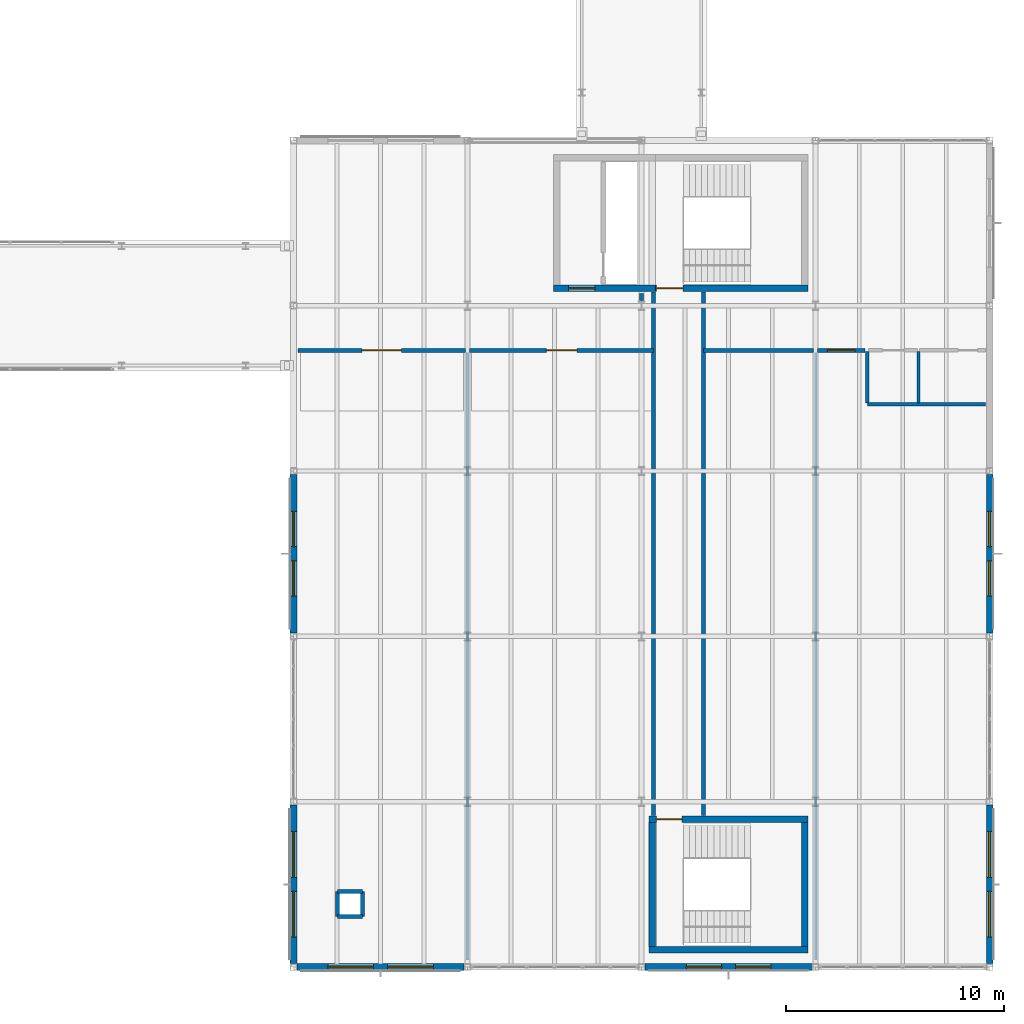
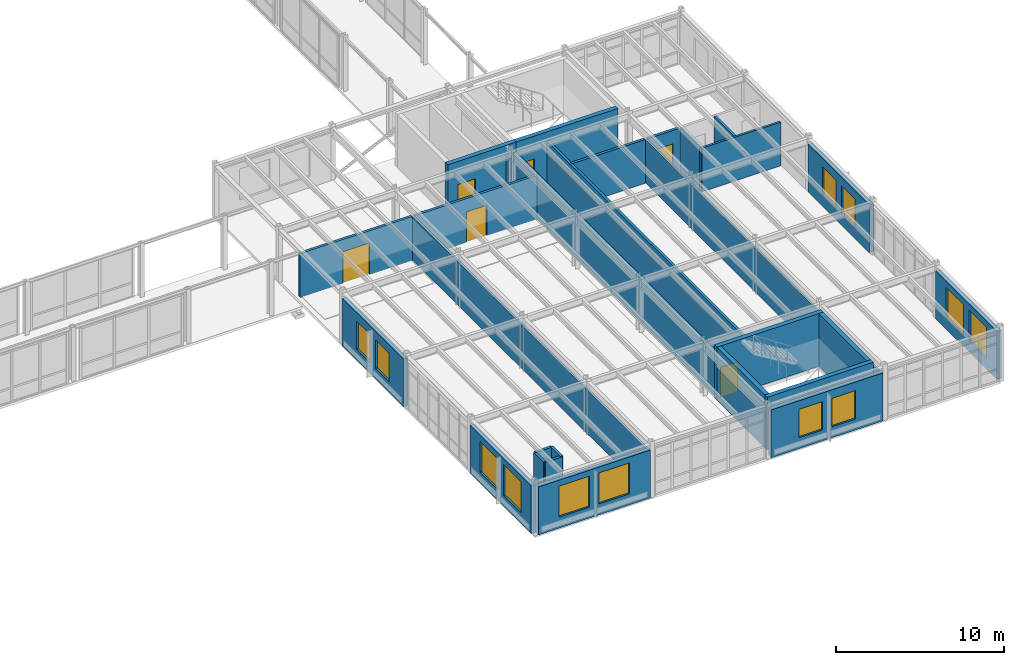
# One storey, part 141 of 165: 28 walls, 12 windows, 6 doors, 18 openings.
"""IFC4 building model written with IfcOpenShell, lengths in metres."""

import ifcopenshell
import ifcopenshell.guid

model = None  # the IFC model being written
_history = None  # IfcOwnerHistory: only IFC2X3 demands one
_inside = {}  # id of a spatial element -> (the spatial element, [elements in it])
_under = {}  # id of a project, library or spatial element -> (it, [spatial elements below it])
_declared = {}  # id of a project -> (the project, [libraries it declares])
_typed = {}  # id of a type object -> (the type object, [elements of that type])
_made_of = {}  # id of a material, layer set ... -> (it, [elements and type objects made of it])


def new_model(schema):
    """Start an empty IFC model of exactly this schema.

    Asked for "IFC4X3", IfcOpenShell would pick the latest addendum, in which some entities
    have other attributes; the version numbers below select the first issue.
    IFC2X3 requires an IfcOwnerHistory on every rooted entity: one is made here for all.
    """
    global model, _history
    if schema == "IFC4X3":
        model = ifcopenshell.file(schema_version=(4, 3, 0, 0))
    else:
        model = ifcopenshell.file(schema=schema)
    _inside.clear()
    _under.clear()
    _declared.clear()
    _typed.clear()
    _made_of.clear()
    _history = None
    if model.schema == "IFC2X3":
        org = make("IfcOrganization", Name="unknown")
        user = make(
            "IfcPersonAndOrganization",
            ThePerson=make("IfcPerson", FamilyName="unknown"),
            TheOrganization=org,
        )
        app = make(
            "IfcApplication",
            ApplicationDeveloper=org,
            Version="unknown",
            ApplicationFullName="unknown",
            ApplicationIdentifier="unknown",
        )
        _history = make(
            "IfcOwnerHistory",
            OwningUser=user,
            OwningApplication=app,
            ChangeAction="ADDED",
            CreationDate=0,
        )
    return model


def make(cls, **values):
    """One entity of the class cls with the attributes given. An attribute that is None is left unset."""
    return model.create_entity(
        cls, **{name: value for name, value in values.items() if value is not None}
    )


def rooted(cls, **values):
    """An entity with a GlobalId (a new one), such as an element, a storey or a relation."""
    return make(cls, GlobalId=ifcopenshell.guid.new(), OwnerHistory=_history, **values)


def si_unit(unit_type, name, prefix=None):
    """IfcSIUnit, for example si_unit("LENGTHUNIT", "METRE", prefix="MILLI")."""
    return make("IfcSIUnit", UnitType=unit_type, Prefix=prefix, Name=name)


def assignment(units):
    """IfcUnitAssignment: the units of a project."""
    return None if units is None else make("IfcUnitAssignment", Units=units)


def point(xyz):
    """IfcCartesianPoint."""
    return None if xyz is None else make("IfcCartesianPoint", Coordinates=xyz)


def direction(xyz):
    """IfcDirection."""
    return None if xyz is None else make("IfcDirection", DirectionRatios=xyz)


def frame(location, z_axis=None, x_axis=None):
    """IfcAxis2Placement3D, a coordinate frame: its origin and axes. An axis left out is left unset."""
    return make(
        "IfcAxis2Placement3D",
        Location=point(location),
        Axis=direction(z_axis),
        RefDirection=direction(x_axis),
    )


def frame_2d(location, x_axis=None):
    """IfcAxis2Placement2D, a coordinate frame in the plane: its origin and x axis."""
    return make(
        "IfcAxis2Placement2D", Location=point(location), RefDirection=direction(x_axis)
    )


def origin():
    """The frame at (0, 0, 0) with its axes left unset."""
    return frame((0.0, 0.0, 0.0))


def place(relative_to, where):
    """IfcLocalPlacement: puts the frame where relative to a parent placement (None: the world)."""
    return make(
        "IfcLocalPlacement", PlacementRelTo=relative_to, RelativePlacement=where
    )


def context(
    kind, dimensions, precision=None, world=None, true_north=None, identifier=None
):
    """IfcGeometricRepresentationContext, for example the 3D "Model" context."""
    return make(
        "IfcGeometricRepresentationContext",
        ContextIdentifier=identifier,
        ContextType=kind,
        CoordinateSpaceDimension=dimensions,
        Precision=precision,
        WorldCoordinateSystem=world,
        TrueNorth=true_north,
    )


def subcontext(parent, identifier, kind, view, scale=None):
    """IfcGeometricRepresentationSubContext, for example "Body" below "Model"."""
    return make(
        "IfcGeometricRepresentationSubContext",
        ContextIdentifier=identifier,
        ContextType=kind,
        ParentContext=parent,
        TargetScale=scale,
        TargetView=view,
    )


def project(units=None, contexts=None):
    """IfcProject with its units and contexts."""
    return rooted(
        "IfcProject",
        Name="project",
        RepresentationContexts=contexts,
        UnitsInContext=assignment(units),
    )


def spatial(cls, under=None, at=None, **own):
    """A site, building, storey or space (cls), placed at a placement, below another one or the project."""
    s = rooted(cls, ObjectPlacement=at, **own)
    if under is not None:
        _under.setdefault(under.id(), (under, []))[1].append(s)
    return s


def profile(cls, at=None, kind="AREA", **sizes):
    """A parametric profile (cls). Its sizes go by their IFC names, for example OverallWidth=200.0."""
    return make(cls, ProfileType=kind, Position=at, **sizes)


def rectangle(**sizes):
    """IfcRectangleProfileDef."""
    return profile("IfcRectangleProfileDef", **sizes)


def extrude(swept, where, along, depth):
    """IfcExtrudedAreaSolid: the profile swept, set in the frame where, extruded along a direction by depth."""
    return make(
        "IfcExtrudedAreaSolid",
        SweptArea=swept,
        Position=where,
        ExtrudedDirection=direction(along),
        Depth=depth,
    )


def shape(context_of_items, identifier, shape_type, items):
    """IfcShapeRepresentation: the items that make up one representation, for example the "Body"."""
    return make(
        "IfcShapeRepresentation",
        ContextOfItems=context_of_items,
        RepresentationIdentifier=identifier,
        RepresentationType=shape_type,
        Items=items,
    )


def material(Name=None, Category=None):
    """IfcMaterial."""
    return make("IfcMaterial", Name=Name, Category=Category)


def layer(
    of_material, thickness, ventilated=None, Name=None, Category=None, Priority=None
):
    """IfcMaterialLayer: one layer of a wall or slab, of a material (None: an air gap)."""
    return make(
        "IfcMaterialLayer",
        Material=of_material,
        LayerThickness=thickness,
        IsVentilated=ventilated,
        Name=Name,
        Category=Category,
        Priority=Priority,
    )


def layer_set(layers, Name=None):
    """IfcMaterialLayerSet."""
    return make("IfcMaterialLayerSet", MaterialLayers=layers, LayerSetName=Name)


def made_of(thing, what):
    """Note that an element or type object is made of a material, layer set ...; save() writes the relation."""
    if what is not None:
        _made_of.setdefault(what.id(), (what, []))[1].append(thing)
    return thing


def type_object(cls, material=None, **own):
    """A type object (cls), such as IfcWallType, which elements share."""
    return made_of(rooted(cls, **own), material)


def element(
    cls,
    number,
    at=None,
    inside=None,
    cuts=None,
    type_object=None,
    material=None,
    context=None,
    identifier="Body",
    shape_type=None,
    held_by="IfcProductDefinitionShape",
    body=None,
    shapes=None,
    **own,
):
    """One element of the class cls, such as IfcWall. Its Tag is "e" and its number.

    at: its placement. inside: the storey or other place that contains it. cuts: it is an
    opening in that element (IfcRelVoidsElement). A single representation is given by context,
    identifier, shape_type and body (its items); several are given by shapes. held_by: the class
    of the entity that holds the representations. save() writes the other relations.
    """
    e = rooted(cls, Tag="e%d" % number, ObjectPlacement=at, **own)
    if body is not None:
        shapes = [shape(context, identifier, shape_type, body)]
    if shapes is not None:
        e.Representation = make(held_by, Representations=shapes)
    if inside is not None:
        _inside.setdefault(inside.id(), (inside, []))[1].append(e)
    if cuts is not None:
        rooted(
            "IfcRelVoidsElement", RelatingBuildingElement=cuts, RelatedOpeningElement=e
        )
    if type_object is not None:
        _typed.setdefault(type_object.id(), (type_object, []))[1].append(e)
    return made_of(e, material)


def fill(opening, filler):
    """IfcRelFillsElement: the door or window that sits in an opening."""
    return rooted(
        "IfcRelFillsElement",
        RelatingOpeningElement=opening,
        RelatedBuildingElement=filler,
    )


def aggregate(whole, parts):
    """IfcRelAggregates: a whole, such as a stair, and the parts it consists of."""
    return rooted("IfcRelAggregates", RelatingObject=whole, RelatedObjects=parts)


def save(model, path):
    """Write the relations noted so far, then the file.

    IfcRelAggregates (storeys below a building ...), IfcRelContainedInSpatialStructure (elements
    in a storey), IfcRelDefinesByType, IfcRelAssociatesMaterial and IfcRelDeclares: one each for
    every whole, place, type object, material and project.
    """
    for whole, parts in _under.values():
        aggregate(whole, parts)
    for where, things in _inside.values():
        rooted(
            "IfcRelContainedInSpatialStructure",
            RelatedElements=things,
            RelatingStructure=where,
        )
    for kind, things in _typed.values():
        rooted("IfcRelDefinesByType", RelatedObjects=things, RelatingType=kind)
    for what, things in _made_of.values():
        rooted("IfcRelAssociatesMaterial", RelatedObjects=things, RelatingMaterial=what)
    for by, libraries in _declared.values():
        rooted("IfcRelDeclares", RelatingContext=by, RelatedDefinitions=libraries)
    model.write(path)


model = new_model("IFC4")

# Units and contexts
model_context = context("Model", 3, precision=1e-05, world=origin(), true_north=direction((0.0, 1.0)))
body_context = subcontext(model_context, "Body", "Model", "MODEL_VIEW")
ifc_project = project(units=[si_unit("LENGTHUNIT", "METRE"), si_unit("AREAUNIT", "SQUARE_METRE"), si_unit("VOLUMEUNIT", "CUBIC_METRE"), si_unit("PLANEANGLEUNIT", "RADIAN"), si_unit("MASSUNIT", "GRAM", prefix="KILO")], contexts=[model_context])

# Site, building, storey
site_placement = place(None, origin())
site = spatial("IfcSite", under=ifc_project, at=site_placement, CompositionType="ELEMENT")
building_placement = place(site_placement, origin())
building = spatial("IfcBuilding", under=site, at=building_placement, Name="Montecoro Central Library", CompositionType="ELEMENT")
storey_placement = place(building_placement, frame((0.0, 0.0, 5.10009765625)))
storey = spatial("IfcBuildingStorey", under=building, at=storey_placement, Name="L01", CompositionType="ELEMENT", Elevation=5.10009765625)

# Wall, openings, windows
ifc_material_1 = material(Name="Roman travertine stone clad concrete C35/45", Category="masonry")
ifc_layer_1 = layer(ifc_material_1, 0.31005859375)
ifc_layer_set_1 = layer_set([ifc_layer_1], Name="Roman travertine stone clad concrete C35/45")
wall_type_1 = type_object("IfcWallType", Name="EW-TRV-310", PredefinedType="SOLIDWALL", material=ifc_layer_set_1)
wall_1_placement = place(storey_placement, frame((141.153076171875, 5.0, 0.0), z_axis=(0.0, 0.0, 1.0), x_axis=(1.0, 0.0, 0.0)))
wall_1 = element("IfcWall", 1, at=wall_1_placement, inside=storey, type_object=wall_type_1, Name="V6-L01-EW-S0", PredefinedType="SOLIDWALL", context=body_context, shape_type="SweptSolid", body=[
    extrude(rectangle(XDim=7.69384765625, YDim=0.31005859375, at=frame_2d((3.846923828125, 0.0))), origin(), (0.0, 0.0, 1.0), 3.47998046875),
])
opening_1_placement = place(wall_1_placement, frame((1.422119140625, 0.0, 0.800048828125)))
opening_1 = element("IfcOpeningElement", 2, at=opening_1_placement, cuts=wall_1, Name="Opening WN-19", PredefinedType="OPENING", context=body_context, shape_type="SweptSolid", body=[
    extrude(rectangle(XDim=2.10009765625, YDim=2.25, at=frame_2d((1.050048828125, 1.125))), frame((0.0, 0.1650390625, 0.0), z_axis=(0.0, -1.0, 0.0), x_axis=(1.0, 0.0, 0.0)), (0.0, 0.0, 1.0), 0.330078125),
])
opening_2_placement = place(wall_1_placement, frame((4.172119140625, 0.0, 0.800048828125)))
opening_2 = element("IfcOpeningElement", 3, at=opening_2_placement, cuts=wall_1, Name="Opening WN-19", PredefinedType="OPENING", context=body_context, shape_type="SweptSolid", body=[
    extrude(rectangle(XDim=2.10009765625, YDim=2.25, at=frame_2d((1.050048828125, 1.125))), frame((0.0, 0.1650390625, 0.0), z_axis=(0.0, -1.0, 0.0), x_axis=(1.0, 0.0, 0.0)), (0.0, 0.0, 1.0), 0.330078125),
])
ifc_material_2 = material(Name="Laminated low-E double glazing", Category="glass")
window_type_1 = type_object("IfcWindowType", Name="WN-COM-210", PartitioningType="SINGLE_PANEL", PredefinedType="WINDOW", material=ifc_material_2)
window_1_placement = place(opening_1_placement, origin())
window_1 = element("IfcWindow", 4, at=window_1_placement, inside=storey, type_object=window_type_1, Name="V6-L01-WN-S0-1", OverallHeight=2.25, OverallWidth=2.10009765625, PartitioningType="SINGLE_PANEL", PredefinedType="WINDOW", context=body_context, shape_type="SweptSolid", body=[
    extrude(rectangle(XDim=2.10009765625, YDim=2.25, at=frame_2d((1.050048828125, 1.125))), frame((0.0, 0.030029296875, 0.0), z_axis=(0.0, -1.0, 0.0), x_axis=(1.0, 0.0, 0.0)), (0.0, 0.0, 1.0), 0.06005859375),
])
fill(opening_1, window_1)
window_2_placement = place(opening_2_placement, origin())
window_2 = element("IfcWindow", 5, at=window_2_placement, inside=storey, type_object=window_type_1, Name="V6-L01-WN-S0-2", OverallHeight=2.25, OverallWidth=2.10009765625, PartitioningType="SINGLE_PANEL", PredefinedType="WINDOW", context=body_context, shape_type="SweptSolid", body=[
    extrude(rectangle(XDim=2.10009765625, YDim=2.25, at=frame_2d((1.050048828125, 1.125))), frame((0.0, 0.030029296875, 0.0), z_axis=(0.0, -1.0, 0.0), x_axis=(1.0, 0.0, 0.0)), (0.0, 0.0, 1.0), 0.06005859375),
])
fill(opening_2, window_2)

wall_2_placement = place(storey_placement, frame((157.153076171875, 5.0, 0.0), z_axis=(0.0, 0.0, 1.0), x_axis=(1.0, 0.0, 0.0)))
wall_2 = element("IfcWall", 6, at=wall_2_placement, inside=storey, type_object=wall_type_1, Name="V6-L01-EW-S2", PredefinedType="SOLIDWALL", context=body_context, shape_type="SweptSolid", body=[
    extrude(rectangle(XDim=7.69384765625, YDim=0.31005859375, at=frame_2d((3.846923828125, 0.0))), origin(), (0.0, 0.0, 1.0), 3.47998046875),
])
opening_3_placement = place(wall_2_placement, frame((1.902099609375, 0.0, 0.800048828125)))
opening_3 = element("IfcOpeningElement", 7, at=opening_3_placement, cuts=wall_2, Name="Opening WN-27", PredefinedType="OPENING", context=body_context, shape_type="SweptSolid", body=[
    extrude(rectangle(XDim=1.6201171875, YDim=2.06005859375, at=frame_2d((0.81005859375, 1.030029296875))), frame((0.0, 0.1650390625, 0.0), z_axis=(0.0, -1.0, 0.0), x_axis=(1.0, 0.0, 0.0)), (0.0, 0.0, 1.0), 0.330078125),
])
opening_4_placement = place(wall_2_placement, frame((4.172119140625, 0.0, 0.800048828125)))
opening_4 = element("IfcOpeningElement", 8, at=opening_4_placement, cuts=wall_2, Name="Opening WN-27", PredefinedType="OPENING", context=body_context, shape_type="SweptSolid", body=[
    extrude(rectangle(XDim=1.6201171875, YDim=2.06005859375, at=frame_2d((0.81005859375, 1.030029296875))), frame((0.0, 0.1650390625, 0.0), z_axis=(0.0, -1.0, 0.0), x_axis=(1.0, 0.0, 0.0)), (0.0, 0.0, 1.0), 0.330078125),
])
window_type_2 = type_object("IfcWindowType", Name="WN-COM-162", PartitioningType="SINGLE_PANEL", PredefinedType="WINDOW", material=ifc_material_2)
window_3_placement = place(opening_3_placement, origin())
window_3 = element("IfcWindow", 9, at=window_3_placement, inside=storey, type_object=window_type_2, Name="V6-L01-WN-S2-1", OverallHeight=2.06005859375, OverallWidth=1.6201171875, PartitioningType="SINGLE_PANEL", PredefinedType="WINDOW", context=body_context, shape_type="SweptSolid", body=[
    extrude(rectangle(XDim=1.6201171875, YDim=2.06005859375, at=frame_2d((0.81005859375, 1.030029296875))), frame((0.0, 0.030029296875, 0.0), z_axis=(0.0, -1.0, 0.0), x_axis=(1.0, 0.0, 0.0)), (0.0, 0.0, 1.0), 0.06005859375),
])
fill(opening_3, window_3)
window_4_placement = place(opening_4_placement, origin())
window_4 = element("IfcWindow", 10, at=window_4_placement, inside=storey, type_object=window_type_2, Name="V6-L01-WN-S2-2", OverallHeight=2.06005859375, OverallWidth=1.6201171875, PartitioningType="SINGLE_PANEL", PredefinedType="WINDOW", context=body_context, shape_type="SweptSolid", body=[
    extrude(rectangle(XDim=1.6201171875, YDim=2.06005859375, at=frame_2d((0.81005859375, 1.030029296875))), frame((0.0, 0.030029296875, 0.0), z_axis=(0.0, -1.0, 0.0), x_axis=(1.0, 0.0, 0.0)), (0.0, 0.0, 1.0), 0.06005859375),
])
fill(opening_4, window_4)

wall_3_placement = place(storey_placement, frame((173.0, 5.153076171875, 0.0), z_axis=(0.0, 0.0, 1.0), x_axis=(0.0, 1.0, 0.0)))
wall_3 = element("IfcWall", 11, at=wall_3_placement, inside=storey, type_object=wall_type_1, Name="V6-L01-EW-E0", PredefinedType="SOLIDWALL", context=body_context, shape_type="SweptSolid", body=[
    extrude(rectangle(XDim=7.2939453125, YDim=0.31005859375, at=frame_2d((3.64697265625, 0.0))), origin(), (0.0, 0.0, 1.0), 3.47998046875),
])
opening_5_placement = place(wall_3_placement, frame((1.221923828125, 0.0, 0.800048828125)))
opening_5 = element("IfcOpeningElement", 12, at=opening_5_placement, cuts=wall_3, Name="Opening WN-19", PredefinedType="OPENING", context=body_context, shape_type="SweptSolid", body=[
    extrude(rectangle(XDim=2.10009765625, YDim=2.25, at=frame_2d((1.050048828125, 1.125))), frame((0.0, 0.1650390625, 0.0), z_axis=(0.0, -1.0, 0.0), x_axis=(1.0, 0.0, 0.0)), (0.0, 0.0, 1.0), 0.330078125),
])
opening_6_placement = place(wall_3_placement, frame((3.971923828125, 0.0, 0.800048828125)))
opening_6 = element("IfcOpeningElement", 13, at=opening_6_placement, cuts=wall_3, Name="Opening WN-19", PredefinedType="OPENING", context=body_context, shape_type="SweptSolid", body=[
    extrude(rectangle(XDim=2.10009765625, YDim=2.25, at=frame_2d((1.050048828125, 1.125))), frame((0.0, 0.1650390625, 0.0), z_axis=(0.0, -1.0, 0.0), x_axis=(1.0, 0.0, 0.0)), (0.0, 0.0, 1.0), 0.330078125),
])
window_5_placement = place(opening_5_placement, origin())
window_5 = element("IfcWindow", 14, at=window_5_placement, inside=storey, type_object=window_type_1, Name="V6-L01-WN-E0-1", OverallHeight=2.25, OverallWidth=2.10009765625, PartitioningType="SINGLE_PANEL", PredefinedType="WINDOW", context=body_context, shape_type="SweptSolid", body=[
    extrude(rectangle(XDim=2.10009765625, YDim=2.25, at=frame_2d((1.050048828125, 1.125))), frame((0.0, 0.030029296875, 0.0), z_axis=(0.0, -1.0, 0.0), x_axis=(1.0, 0.0, 0.0)), (0.0, 0.0, 1.0), 0.06005859375),
])
fill(opening_5, window_5)
window_6_placement = place(opening_6_placement, origin())
window_6 = element("IfcWindow", 15, at=window_6_placement, inside=storey, type_object=window_type_1, Name="V6-L01-WN-E0-2", OverallHeight=2.25, OverallWidth=2.10009765625, PartitioningType="SINGLE_PANEL", PredefinedType="WINDOW", context=body_context, shape_type="SweptSolid", body=[
    extrude(rectangle(XDim=2.10009765625, YDim=2.25, at=frame_2d((1.050048828125, 1.125))), frame((0.0, 0.030029296875, 0.0), z_axis=(0.0, -1.0, 0.0), x_axis=(1.0, 0.0, 0.0)), (0.0, 0.0, 1.0), 0.06005859375),
])
fill(opening_6, window_6)

wall_4_placement = place(storey_placement, frame((173.0, 20.35302734375, 0.0), z_axis=(0.0, 0.0, 1.0), x_axis=(0.0, 1.0, 0.0)))
wall_4 = element("IfcWall", 16, at=wall_4_placement, inside=storey, type_object=wall_type_1, Name="V6-L01-EW-E2", PredefinedType="SOLIDWALL", context=body_context, shape_type="SweptSolid", body=[
    extrude(rectangle(XDim=7.2939453125, YDim=0.31005859375, at=frame_2d((3.64697265625, 0.0))), origin(), (0.0, 0.0, 1.0), 3.47998046875),
])
opening_7_placement = place(wall_4_placement, frame((1.701904296875, 0.0, 0.800048828125)))
opening_7 = element("IfcOpeningElement", 17, at=opening_7_placement, cuts=wall_4, Name="Opening WN-27", PredefinedType="OPENING", context=body_context, shape_type="SweptSolid", body=[
    extrude(rectangle(XDim=1.6201171875, YDim=2.06005859375, at=frame_2d((0.81005859375, 1.030029296875))), frame((0.0, 0.1650390625, 0.0), z_axis=(0.0, -1.0, 0.0), x_axis=(1.0, 0.0, 0.0)), (0.0, 0.0, 1.0), 0.330078125),
])
opening_8_placement = place(wall_4_placement, frame((3.971923828125, 0.0, 0.800048828125)))
opening_8 = element("IfcOpeningElement", 18, at=opening_8_placement, cuts=wall_4, Name="Opening WN-27", PredefinedType="OPENING", context=body_context, shape_type="SweptSolid", body=[
    extrude(rectangle(XDim=1.6201171875, YDim=2.06005859375, at=frame_2d((0.81005859375, 1.030029296875))), frame((0.0, 0.1650390625, 0.0), z_axis=(0.0, -1.0, 0.0), x_axis=(1.0, 0.0, 0.0)), (0.0, 0.0, 1.0), 0.330078125),
])
window_7_placement = place(opening_7_placement, origin())
window_7 = element("IfcWindow", 19, at=window_7_placement, inside=storey, type_object=window_type_2, Name="V6-L01-WN-E2-1", OverallHeight=2.06005859375, OverallWidth=1.6201171875, PartitioningType="SINGLE_PANEL", PredefinedType="WINDOW", context=body_context, shape_type="SweptSolid", body=[
    extrude(rectangle(XDim=1.6201171875, YDim=2.06005859375, at=frame_2d((0.81005859375, 1.030029296875))), frame((0.0, 0.030029296875, 0.0), z_axis=(0.0, -1.0, 0.0), x_axis=(1.0, 0.0, 0.0)), (0.0, 0.0, 1.0), 0.06005859375),
])
fill(opening_7, window_7)
window_8_placement = place(opening_8_placement, origin())
window_8 = element("IfcWindow", 20, at=window_8_placement, inside=storey, type_object=window_type_2, Name="V6-L01-WN-E2-2", OverallHeight=2.06005859375, OverallWidth=1.6201171875, PartitioningType="SINGLE_PANEL", PredefinedType="WINDOW", context=body_context, shape_type="SweptSolid", body=[
    extrude(rectangle(XDim=1.6201171875, YDim=2.06005859375, at=frame_2d((0.81005859375, 1.030029296875))), frame((0.0, 0.030029296875, 0.0), z_axis=(0.0, -1.0, 0.0), x_axis=(1.0, 0.0, 0.0)), (0.0, 0.0, 1.0), 0.06005859375),
])
fill(opening_8, window_8)

wall_5_placement = place(storey_placement, frame((141.0, 27.64697265625, 0.0), z_axis=(0.0, 0.0, 1.0), x_axis=(0.0, -1.0, 0.0)))
wall_5 = element("IfcWall", 21, at=wall_5_placement, inside=storey, type_object=wall_type_1, Name="V6-L01-EW-W2", PredefinedType="SOLIDWALL", context=body_context, shape_type="SweptSolid", body=[
    extrude(rectangle(XDim=7.2939453125, YDim=0.31005859375, at=frame_2d((3.64697265625, 0.0))), origin(), (0.0, 0.0, 1.0), 3.47998046875),
])
opening_9_placement = place(wall_5_placement, frame((1.701904296875, 0.0, 0.800048828125)))
opening_9 = element("IfcOpeningElement", 22, at=opening_9_placement, cuts=wall_5, Name="Opening WN-27", PredefinedType="OPENING", context=body_context, shape_type="SweptSolid", body=[
    extrude(rectangle(XDim=1.6201171875, YDim=2.06005859375, at=frame_2d((0.81005859375, 1.030029296875))), frame((0.0, 0.1650390625, 0.0), z_axis=(0.0, -1.0, 0.0), x_axis=(1.0, 0.0, 0.0)), (0.0, 0.0, 1.0), 0.330078125),
])
opening_10_placement = place(wall_5_placement, frame((3.971923828125, 0.0, 0.800048828125)))
opening_10 = element("IfcOpeningElement", 23, at=opening_10_placement, cuts=wall_5, Name="Opening WN-27", PredefinedType="OPENING", context=body_context, shape_type="SweptSolid", body=[
    extrude(rectangle(XDim=1.6201171875, YDim=2.06005859375, at=frame_2d((0.81005859375, 1.030029296875))), frame((0.0, 0.1650390625, 0.0), z_axis=(0.0, -1.0, 0.0), x_axis=(1.0, 0.0, 0.0)), (0.0, 0.0, 1.0), 0.330078125),
])
window_9_placement = place(opening_9_placement, origin())
window_9 = element("IfcWindow", 24, at=window_9_placement, inside=storey, type_object=window_type_2, Name="V6-L01-WN-W2-1", OverallHeight=2.06005859375, OverallWidth=1.6201171875, PartitioningType="SINGLE_PANEL", PredefinedType="WINDOW", context=body_context, shape_type="SweptSolid", body=[
    extrude(rectangle(XDim=1.6201171875, YDim=2.06005859375, at=frame_2d((0.81005859375, 1.030029296875))), frame((0.0, 0.030029296875, 0.0), z_axis=(0.0, -1.0, 0.0), x_axis=(1.0, 0.0, 0.0)), (0.0, 0.0, 1.0), 0.06005859375),
])
fill(opening_9, window_9)
window_10_placement = place(opening_10_placement, origin())
window_10 = element("IfcWindow", 25, at=window_10_placement, inside=storey, type_object=window_type_2, Name="V6-L01-WN-W2-2", OverallHeight=2.06005859375, OverallWidth=1.6201171875, PartitioningType="SINGLE_PANEL", PredefinedType="WINDOW", context=body_context, shape_type="SweptSolid", body=[
    extrude(rectangle(XDim=1.6201171875, YDim=2.06005859375, at=frame_2d((0.81005859375, 1.030029296875))), frame((0.0, 0.030029296875, 0.0), z_axis=(0.0, -1.0, 0.0), x_axis=(1.0, 0.0, 0.0)), (0.0, 0.0, 1.0), 0.06005859375),
])
fill(opening_10, window_10)

wall_6_placement = place(storey_placement, frame((141.0, 12.447021484375, 0.0), z_axis=(0.0, 0.0, 1.0), x_axis=(0.0, -1.0, 0.0)))
wall_6 = element("IfcWall", 26, at=wall_6_placement, inside=storey, type_object=wall_type_1, Name="V6-L01-EW-W0", PredefinedType="SOLIDWALL", context=body_context, shape_type="SweptSolid", body=[
    extrude(rectangle(XDim=7.2939453125, YDim=0.31005859375, at=frame_2d((3.64697265625, 0.0))), origin(), (0.0, 0.0, 1.0), 3.47998046875),
])
opening_11_placement = place(wall_6_placement, frame((1.221923828125, 0.0, 0.800048828125)))
opening_11 = element("IfcOpeningElement", 27, at=opening_11_placement, cuts=wall_6, Name="Opening WN-19", PredefinedType="OPENING", context=body_context, shape_type="SweptSolid", body=[
    extrude(rectangle(XDim=2.10009765625, YDim=2.25, at=frame_2d((1.050048828125, 1.125))), frame((0.0, 0.1650390625, 0.0), z_axis=(0.0, -1.0, 0.0), x_axis=(1.0, 0.0, 0.0)), (0.0, 0.0, 1.0), 0.330078125),
])
opening_12_placement = place(wall_6_placement, frame((3.971923828125, 0.0, 0.800048828125)))
opening_12 = element("IfcOpeningElement", 28, at=opening_12_placement, cuts=wall_6, Name="Opening WN-19", PredefinedType="OPENING", context=body_context, shape_type="SweptSolid", body=[
    extrude(rectangle(XDim=2.10009765625, YDim=2.25, at=frame_2d((1.050048828125, 1.125))), frame((0.0, 0.1650390625, 0.0), z_axis=(0.0, -1.0, 0.0), x_axis=(1.0, 0.0, 0.0)), (0.0, 0.0, 1.0), 0.330078125),
])
window_11_placement = place(opening_11_placement, origin())
window_11 = element("IfcWindow", 29, at=window_11_placement, inside=storey, type_object=window_type_1, Name="V6-L01-WN-W0-1", OverallHeight=2.25, OverallWidth=2.10009765625, PartitioningType="SINGLE_PANEL", PredefinedType="WINDOW", context=body_context, shape_type="SweptSolid", body=[
    extrude(rectangle(XDim=2.10009765625, YDim=2.25, at=frame_2d((1.050048828125, 1.125))), frame((0.0, 0.030029296875, 0.0), z_axis=(0.0, -1.0, 0.0), x_axis=(1.0, 0.0, 0.0)), (0.0, 0.0, 1.0), 0.06005859375),
])
fill(opening_11, window_11)
window_12_placement = place(opening_12_placement, origin())
window_12 = element("IfcWindow", 30, at=window_12_placement, inside=storey, type_object=window_type_1, Name="V6-L01-WN-W0-2", OverallHeight=2.25, OverallWidth=2.10009765625, PartitioningType="SINGLE_PANEL", PredefinedType="WINDOW", context=body_context, shape_type="SweptSolid", body=[
    extrude(rectangle(XDim=2.10009765625, YDim=2.25, at=frame_2d((1.050048828125, 1.125))), frame((0.0, 0.030029296875, 0.0), z_axis=(0.0, -1.0, 0.0), x_axis=(1.0, 0.0, 0.0)), (0.0, 0.0, 1.0), 0.06005859375),
])
fill(opening_12, window_12)

# Walls
ifc_material_3 = material(Name="Gypsum fire-rated partition")
ifc_layer_2 = layer(ifc_material_3, 0.179931640625)
ifc_layer_set_2 = layer_set([ifc_layer_2], Name="Gypsum fire-rated partition")
wall_type_2 = type_object("IfcWallType", Name="IW-COR-180", PredefinedType="PARTITIONING", material=ifc_layer_set_2)
for number, where, z_axis, x_axis, name in (
    (31, (143.02001953125, 7.320068359375, 0.0), (0.0, 0.0, 1.0), (1.0, 0.0, 0.0), "RSR-V6-L01-SL1-S"),
    (32, (144.179931640625, 8.47998046875, 0.0), (0.0, 0.0, 1.0), (-1.0, 0.0, 0.0), "RSR-V6-L01-SL1-N"),
    (33, (143.02001953125, 8.47998046875, 0.0), (0.0, 0.0, 1.0), (0.0, -1.0, 0.0), "RSR-V6-L01-SL1-W"),
    (34, (144.179931640625, 7.320068359375, 0.0), (0.0, 0.0, 1.0), (0.0, 1.0, 0.0), "RSR-V6-L01-SL1-E"),
):
    element("IfcWall", number, at=place(storey_placement, frame(where, z_axis=z_axis, x_axis=x_axis)), inside=storey, type_object=wall_type_2, Name=name, PredefinedType="PARTITIONING", context=body_context, shape_type="SweptSolid", body=[
        extrude(rectangle(XDim=1.159912109375, YDim=0.179931640625, at=frame_2d((0.580078125, 0.0))), origin(), (0.0, 0.0, 1.0), 3.179931640625),
    ])

# Wall, opening, door
wall_7_placement = place(storey_placement, frame((141.199951171875, 33.35009765625, 0.0), z_axis=(0.0, 0.0, 1.0), x_axis=(1.0, 0.0, 0.0)))
wall_7 = element("IfcWall", 35, at=wall_7_placement, inside=storey, type_object=wall_type_2, Name="CORW-V6-L01-01", PredefinedType="PARTITIONING", context=body_context, shape_type="SweptSolid", body=[
    extrude(rectangle(XDim=7.7099609375, YDim=0.179931640625, at=frame_2d((3.85498046875, 0.0))), origin(), (0.0, 0.0, 1.0), 3.179931640625),
])
opening_13_placement = place(wall_7_placement, frame((2.955078125, 0.0, 0.0)))
opening_13 = element("IfcOpeningElement", 36, at=opening_13_placement, cuts=wall_7, Name="Opening ID-10", PredefinedType="OPENING", context=body_context, shape_type="SweptSolid", body=[
    extrude(rectangle(XDim=1.800048828125, YDim=2.300048828125, at=frame_2d((0.89990234375, 1.14990234375))), frame((0.0, 0.099853515625, 0.0), z_axis=(0.0, -1.0, 0.0), x_axis=(1.0, 0.0, 0.0)), (0.0, 0.0, 1.0), 0.199951171875),
])
ifc_material_4 = material(Name="Solid oak and fire-rated steel door", Category="steel")
door_type_1 = type_object("IfcDoorType", Name="ID-AUD-180", OperationType="NOTDEFINED", PredefinedType="DOOR", material=ifc_material_4)
door_1_placement = place(opening_13_placement, origin())
door_1 = element("IfcDoor", 37, at=door_1_placement, inside=storey, type_object=door_type_1, Name="DR-SP-V6-L01-R1P1", OperationType="DOUBLE_DOOR_SINGLE_SWING", OverallHeight=2.300048828125, OverallWidth=1.800048828125, PredefinedType="DOOR", context=body_context, shape_type="SweptSolid", body=[
    extrude(rectangle(XDim=1.800048828125, YDim=2.300048828125, at=frame_2d((0.89990234375, 1.14990234375))), frame((0.0, 0.02490234375, 0.0), z_axis=(0.0, -1.0, 0.0), x_axis=(1.0, 0.0, 0.0)), (0.0, 0.0, 1.0), 0.050048828125),
])
fill(opening_13, door_1)

wall_8_placement = place(storey_placement, frame((149.090087890625, 33.35009765625, 0.0), z_axis=(0.0, 0.0, 1.0), x_axis=(1.0, 0.0, 0.0)))
wall_8 = element("IfcWall", 38, at=wall_8_placement, inside=storey, type_object=wall_type_2, Name="CORW-V6-L01-02", PredefinedType="PARTITIONING", context=body_context, shape_type="SweptSolid", body=[
    extrude(rectangle(XDim=8.4599609375, YDim=0.179931640625, at=frame_2d((4.22998046875, 0.0))), origin(), (0.0, 0.0, 1.0), 3.179931640625),
])
opening_14_placement = place(wall_8_placement, frame((3.530029296875, 0.0, 0.0)))
opening_14 = element("IfcOpeningElement", 39, at=opening_14_placement, cuts=wall_8, Name="Opening ID-08", PredefinedType="OPENING", context=body_context, shape_type="SweptSolid", body=[
    extrude(rectangle(XDim=1.39990234375, YDim=2.219970703125, at=frame_2d((0.699951171875, 1.10986328125))), frame((0.0, 0.099853515625, 0.0), z_axis=(0.0, -1.0, 0.0), x_axis=(1.0, 0.0, 0.0)), (0.0, 0.0, 1.0), 0.199951171875),
])
door_type_2 = type_object("IfcDoorType", Name="ID-RDG-140", OperationType="NOTDEFINED", PredefinedType="DOOR", material=ifc_material_4)
door_2_placement = place(opening_14_placement, origin())
door_2 = element("IfcDoor", 40, at=door_2_placement, inside=storey, type_object=door_type_2, Name="DR-SP-V6-L01-R2P1", OperationType="SINGLE_SWING_RIGHT", OverallHeight=2.219970703125, OverallWidth=1.39990234375, PredefinedType="DOOR", context=body_context, shape_type="SweptSolid", body=[
    extrude(rectangle(XDim=1.39990234375, YDim=2.219970703125, at=frame_2d((0.699951171875, 1.10986328125))), frame((0.0, 0.02490234375, 0.0), z_axis=(0.0, -1.0, 0.0), x_axis=(1.0, 0.0, 0.0)), (0.0, 0.0, 1.0), 0.050048828125),
])
fill(opening_14, door_2)

# Wall
wall_9_placement = place(storey_placement, frame((159.85009765625, 33.35009765625, 0.0), z_axis=(0.0, 0.0, 1.0), x_axis=(1.0, 0.0, 0.0)))
element("IfcWall", 41, at=wall_9_placement, inside=storey, type_object=wall_type_2, Name="CORW-V6-L01-03", PredefinedType="PARTITIONING", context=body_context, shape_type="SweptSolid", body=[
    extrude(rectangle(XDim=5.059814453125, YDim=0.179931640625, at=frame_2d((2.52978515625, 0.0))), origin(), (0.0, 0.0, 1.0), 3.179931640625),
])

# Wall, opening, door
wall_10_placement = place(storey_placement, frame((165.090087890625, 33.35009765625, 0.0), z_axis=(0.0, 0.0, 1.0), x_axis=(1.0, 0.0, 0.0)))
wall_10 = element("IfcWall", 42, at=wall_10_placement, inside=storey, type_object=wall_type_2, Name="CORW-V6-L01-04", PredefinedType="PARTITIONING", context=body_context, shape_type="SweptSolid", body=[
    extrude(rectangle(XDim=2.169921875, YDim=0.179931640625, at=frame_2d((1.0849609375, 0.0))), origin(), (0.0, 0.0, 1.0), 3.179931640625),
])
opening_15_placement = place(wall_10_placement, frame((0.455078125, 0.0, 0.0)))
opening_15 = element("IfcOpeningElement", 43, at=opening_15_placement, cuts=wall_10, Name="Opening ID-09", PredefinedType="OPENING", context=body_context, shape_type="SweptSolid", body=[
    extrude(rectangle(XDim=1.260009765625, YDim=2.199951171875, at=frame_2d((0.6298828125, 1.10009765625))), frame((0.0, 0.099853515625, 0.0), z_axis=(0.0, -1.0, 0.0), x_axis=(1.0, 0.0, 0.0)), (0.0, 0.0, 1.0), 0.199951171875),
])
door_type_3 = type_object("IfcDoorType", Name="ID-RDG-126", OperationType="NOTDEFINED", PredefinedType="DOOR", material=ifc_material_4)
door_3_placement = place(opening_15_placement, origin())
door_3 = element("IfcDoor", 44, at=door_3_placement, inside=storey, type_object=door_type_3, Name="DR-SP-V6-L01-R3P1", OperationType="SINGLE_SWING_LEFT", OverallHeight=2.199951171875, OverallWidth=1.260009765625, PredefinedType="DOOR", context=body_context, shape_type="SweptSolid", body=[
    extrude(rectangle(XDim=1.260009765625, YDim=2.199951171875, at=frame_2d((0.6298828125, 1.10009765625))), frame((0.0, 0.02490234375, 0.0), z_axis=(0.0, -1.0, 0.0), x_axis=(1.0, 0.0, 0.0)), (0.0, 0.0, 1.0), 0.050048828125),
])
fill(opening_15, door_3)

# Walls
wall_11_placement = place(storey_placement, frame((157.0, 35.639892578125, 0.0), z_axis=(0.0, 0.0, 1.0), x_axis=(0.0, 1.0, 0.0)))
element("IfcWall", 45, at=wall_11_placement, inside=storey, type_object=wall_type_2, Name="PIL-V6-L01-1", PredefinedType="PARTITIONING", context=body_context, shape_type="SweptSolid", body=[
    extrude(rectangle(XDim=0.320068359375, YDim=0.179931640625, at=frame_2d((0.16015625, 0.0))), origin(), (0.0, 0.0, 1.0), 3.179931640625),
])
for number, where, z_axis, x_axis, name in (
    (46, (157.550048828125, 11.9599609375, 0.0), (0.0, 0.0, 1.0), (0.0, 1.0, 0.0), "SPRW-V6-L01-1W1"),
    (47, (159.85009765625, 11.9599609375, 0.0), (0.0, 0.0, 1.0), (0.0, 1.0, 0.0), "SPRW-V6-L01-1E1"),
):
    element("IfcWall", number, at=place(storey_placement, frame(where, z_axis=z_axis, x_axis=x_axis)), inside=storey, type_object=wall_type_2, Name=name, PredefinedType="PARTITIONING", context=body_context, shape_type="SweptSolid", body=[
        extrude(rectangle(XDim=24.080078125, YDim=0.179931640625, at=frame_2d((12.0400390625, 0.0))), origin(), (0.0, 0.0, 1.0), 3.179931640625),
    ])
ifc_material_5 = material(Name="Gypsum metal-stud partition")
ifc_layer_3 = layer(ifc_material_5, 0.1201171875)
ifc_layer_set_3 = layer_set([ifc_layer_3], Name="Gypsum metal-stud partition")
wall_type_3 = type_object("IfcWallType", Name="IW-PRT-120", PredefinedType="PARTITIONING", material=ifc_layer_set_3)
wall_12_placement = place(storey_placement, frame((165.0, 5.320068359375, 0.0), z_axis=(0.0, 0.0, 1.0), x_axis=(0.0, 1.0, 0.0)))
element("IfcWall", 48, at=wall_12_placement, inside=storey, type_object=wall_type_3, Name="DIVW-V6-L01-02-1", PredefinedType="PARTITIONING", context=body_context, shape_type="SweptSolid", body=[
    extrude(rectangle(XDim=27.93994140625, YDim=0.1201171875, at=frame_2d((13.969970703125, 0.0))), origin(), (0.0, 0.0, 1.0), 3.179931640625),
])
ifc_layer_4 = layer(ifc_material_5, 0.139892578125)
ifc_layer_set_4 = layer_set([ifc_layer_4], Name="Gypsum metal-stud partition")
wall_type_4 = type_object("IfcWallType", Name="IW-PRT-140", PredefinedType="PARTITIONING", material=ifc_layer_set_4)
wall_13_placement = place(storey_placement, frame((149.0, 5.320068359375, 0.0), z_axis=(0.0, 0.0, 1.0), x_axis=(0.0, 1.0, 0.0)))
element("IfcWall", 49, at=wall_13_placement, inside=storey, type_object=wall_type_4, Name="DIVW-V6-L01-01-1", PredefinedType="PARTITIONING", context=body_context, shape_type="SweptSolid", body=[
    extrude(rectangle(XDim=27.93994140625, YDim=0.139892578125, at=frame_2d((13.969970703125, 0.0))), origin(), (0.0, 0.0, 1.0), 3.179931640625),
])

# Wall, opening, door
ifc_material_6 = material(Name="Concrete C35/45", Category="concrete")
ifc_layer_5 = layer(ifc_material_6, 0.300048828125)
ifc_layer_set_5 = layer_set([ifc_layer_5], Name="Concrete C35/45")
wall_type_5 = type_object("IfcWallType", Name="IW-SHR-300", PredefinedType="SHEAR", material=ifc_layer_set_5)
wall_14_placement = place(storey_placement, frame((152.949951171875, 36.199951171875, 0.0), z_axis=(0.0, 0.0, 1.0), x_axis=(1.0, 0.0, 0.0)))
wall_14 = element("IfcWall", 50, at=wall_14_placement, inside=storey, type_object=wall_type_5, Name="C7-L01-LWS", PredefinedType="SHEAR", context=body_context, shape_type="SweptSolid", body=[
    extrude(rectangle(XDim=4.699951171875, YDim=0.300048828125, at=frame_2d((2.35009765625, 0.0))), origin(), (0.0, 0.0, 1.0), 3.844970703125),
])
opening_16_placement = place(wall_14_placement, frame((0.699951171875, 0.0, 0.0)))
opening_16 = element("IfcOpeningElement", 51, at=opening_16_placement, cuts=wall_14, Name="Opening ID-03", PredefinedType="OPENING", context=body_context, shape_type="SweptSolid", body=[
    extrude(rectangle(XDim=1.199951171875, YDim=2.159912109375, at=frame_2d((0.60009765625, 1.080078125))), frame((0.0, 0.159912109375, 0.0), z_axis=(0.0, -1.0, 0.0), x_axis=(1.0, 0.0, 0.0)), (0.0, 0.0, 1.0), 0.320068359375),
])
door_type_4 = type_object("IfcDoorType", Name="ID-FFL-120", OperationType="NOTDEFINED", PredefinedType="DOOR", material=ifc_material_4)
door_4_placement = place(opening_16_placement, origin())
door_4 = element("IfcDoor", 52, at=door_4_placement, inside=storey, type_object=door_type_4, Name="C7-L01-DLOB", OperationType="SINGLE_SWING_LEFT", OverallHeight=2.159912109375, OverallWidth=1.199951171875, PredefinedType="DOOR", context=body_context, shape_type="SweptSolid", body=[
    extrude(rectangle(XDim=1.199951171875, YDim=2.159912109375, at=frame_2d((0.60009765625, 1.080078125))), frame((0.0, 0.02490234375, 0.0), z_axis=(0.0, -1.0, 0.0), x_axis=(1.0, 0.0, 0.0)), (0.0, 0.0, 1.0), 0.050048828125),
])
fill(opening_16, door_4)

wall_15_placement = place(storey_placement, frame((157.35009765625, 36.199951171875, 0.0), z_axis=(0.0, 0.0, 1.0), x_axis=(1.0, 0.0, 0.0)))
wall_15 = element("IfcWall", 53, at=wall_15_placement, inside=storey, type_object=wall_type_5, Name="C7-L01-WS", PredefinedType="SHEAR", context=body_context, shape_type="SweptSolid", body=[
    extrude(rectangle(XDim=7.2998046875, YDim=0.300048828125, at=frame_2d((3.64990234375, 0.0))), origin(), (0.0, 0.0, 1.0), 3.844970703125),
])
opening_17_placement = place(wall_15_placement, frame((0.330078125, 0.0, 0.0)))
opening_17 = element("IfcOpeningElement", 54, at=opening_17_placement, cuts=wall_15, Name="Opening ID-01", PredefinedType="OPENING", context=body_context, shape_type="SweptSolid", body=[
    extrude(rectangle(XDim=1.219970703125, YDim=2.179931640625, at=frame_2d((0.60986328125, 1.08984375))), frame((0.0, 0.159912109375, 0.0), z_axis=(0.0, -1.0, 0.0), x_axis=(1.0, 0.0, 0.0)), (0.0, 0.0, 1.0), 0.320068359375),
])
door_type_5 = type_object("IfcDoorType", Name="ID-STR-140", OperationType="NOTDEFINED", PredefinedType="DOOR", material=ifc_material_4)
door_5_placement = place(opening_17_placement, origin())
door_5 = element("IfcDoor", 55, at=door_5_placement, inside=storey, type_object=door_type_5, Name="C7-L01-DSTR", OperationType="SINGLE_SWING_RIGHT", OverallHeight=2.179931640625, OverallWidth=1.219970703125, PredefinedType="DOOR", context=body_context, shape_type="SweptSolid", body=[
    extrude(rectangle(XDim=1.219970703125, YDim=2.179931640625, at=frame_2d((0.60986328125, 1.08984375))), frame((0.0, 0.02490234375, 0.0), z_axis=(0.0, -1.0, 0.0), x_axis=(1.0, 0.0, 0.0)), (0.0, 0.0, 1.0), 0.050048828125),
])
fill(opening_17, door_5)

# Wall
wall_16_placement = place(storey_placement, frame((157.35009765625, 5.800048828125, 0.0), z_axis=(0.0, 0.0, 1.0), x_axis=(1.0, 0.0, 0.0)))
element("IfcWall", 56, at=wall_16_placement, inside=storey, type_object=wall_type_5, Name="C10-L01-WS", PredefinedType="SHEAR", context=body_context, shape_type="SweptSolid", body=[
    extrude(rectangle(XDim=7.2998046875, YDim=0.300048828125, at=frame_2d((3.64990234375, 0.0))), origin(), (0.0, 0.0, 1.0), 3.844970703125),
])

# Wall, opening, door
wall_17_placement = place(storey_placement, frame((157.35009765625, 11.800048828125, 0.0), z_axis=(0.0, 0.0, 1.0), x_axis=(1.0, 0.0, 0.0)))
wall_17 = element("IfcWall", 57, at=wall_17_placement, inside=storey, type_object=wall_type_5, Name="C10-L01-WN", PredefinedType="SHEAR", context=body_context, shape_type="SweptSolid", body=[
    extrude(rectangle(XDim=7.2998046875, YDim=0.300048828125, at=frame_2d((3.64990234375, 0.0))), origin(), (0.0, 0.0, 1.0), 3.844970703125),
])
opening_18_placement = place(wall_17_placement, frame((0.330078125, 0.0, 0.0)))
opening_18 = element("IfcOpeningElement", 58, at=opening_18_placement, cuts=wall_17, Name="Opening ID-02", PredefinedType="OPENING", context=body_context, shape_type="SweptSolid", body=[
    extrude(rectangle(XDim=1.179931640625, YDim=2.179931640625, at=frame_2d((0.58984375, 1.08984375))), frame((0.0, 0.159912109375, 0.0), z_axis=(0.0, -1.0, 0.0), x_axis=(1.0, 0.0, 0.0)), (0.0, 0.0, 1.0), 0.320068359375),
])
door_type_6 = type_object("IfcDoorType", Name="ID-STR-135", OperationType="NOTDEFINED", PredefinedType="DOOR", material=ifc_material_4)
door_6_placement = place(opening_18_placement, origin())
door_6 = element("IfcDoor", 59, at=door_6_placement, inside=storey, type_object=door_type_6, Name="C10-L01-DSTR", OperationType="SINGLE_SWING_RIGHT", OverallHeight=2.179931640625, OverallWidth=1.179931640625, PredefinedType="DOOR", context=body_context, shape_type="SweptSolid", body=[
    extrude(rectangle(XDim=1.179931640625, YDim=2.179931640625, at=frame_2d((0.58984375, 1.08984375))), frame((0.0, 0.02490234375, 0.0), z_axis=(0.0, -1.0, 0.0), x_axis=(1.0, 0.0, 0.0)), (0.0, 0.0, 1.0), 0.050048828125),
])
fill(opening_18, door_6)

# Walls
for number, where, z_axis, x_axis, name in (
    (60, (157.5, 5.949951171875, 0.0), (0.0, 0.0, 1.0), (0.0, 1.0, 0.0), "C10-L01-WW"),
    (61, (164.5, 5.949951171875, 0.0), (0.0, 0.0, 1.0), (0.0, 1.0, 0.0), "C10-L01-WE"),
):
    element("IfcWall", number, at=place(storey_placement, frame(where, z_axis=z_axis, x_axis=x_axis)), inside=storey, type_object=wall_type_5, Name=name, PredefinedType="SHEAR", context=body_context, shape_type="SweptSolid", body=[
        extrude(rectangle(XDim=5.699951171875, YDim=0.300048828125, at=frame_2d((2.85009765625, 0.0))), origin(), (0.0, 0.0, 1.0), 3.844970703125),
    ])
ifc_material_7 = material(Name="Moisture-resistant ceramic-tiled partition")
ifc_layer_6 = layer(ifc_material_7, 0.14990234375)
ifc_layer_set_6 = layer_set([ifc_layer_6], Name="Moisture-resistant ceramic-tiled partition")
wall_type_6 = type_object("IfcWallType", Name="IW-WET-150", PredefinedType="PARTITIONING", material=ifc_layer_set_6)
wall_18_placement = place(storey_placement, frame((167.3798828125, 30.8701171875, 0.0), z_axis=(0.0, 0.0, 1.0), x_axis=(1.0, 0.0, 0.0)))
element("IfcWall", 62, at=wall_18_placement, inside=storey, type_object=wall_type_6, Name="WC-V6-L01-WBK", PredefinedType="PARTITIONING", context=body_context, shape_type="SweptSolid", body=[
    extrude(rectangle(XDim=5.420166015625, YDim=0.14990234375, at=frame_2d((2.7099609375, 0.0))), origin(), (0.0, 0.0, 1.0), 3.179931640625),
])
for number, where, z_axis, x_axis, name in (
    (63, (167.3798828125, 30.929931640625, 0.0), (0.0, 0.0, 1.0), (0.0, 1.0, 0.0), "WC-V6-L01-WW"),
    (64, (169.72998046875, 30.929931640625, 0.0), (0.0, 0.0, 1.0), (0.0, 1.0, 0.0), "WC-V6-L01-WM"),
):
    element("IfcWall", number, at=place(storey_placement, frame(where, z_axis=z_axis, x_axis=x_axis)), inside=storey, type_object=wall_type_6, Name=name, PredefinedType="PARTITIONING", context=body_context, shape_type="SweptSolid", body=[
        extrude(rectangle(XDim=2.360107421875, YDim=0.14990234375, at=frame_2d((1.18017578125, 0.0))), origin(), (0.0, 0.0, 1.0), 3.179931640625),
    ])

save(model, "model.ifc")
